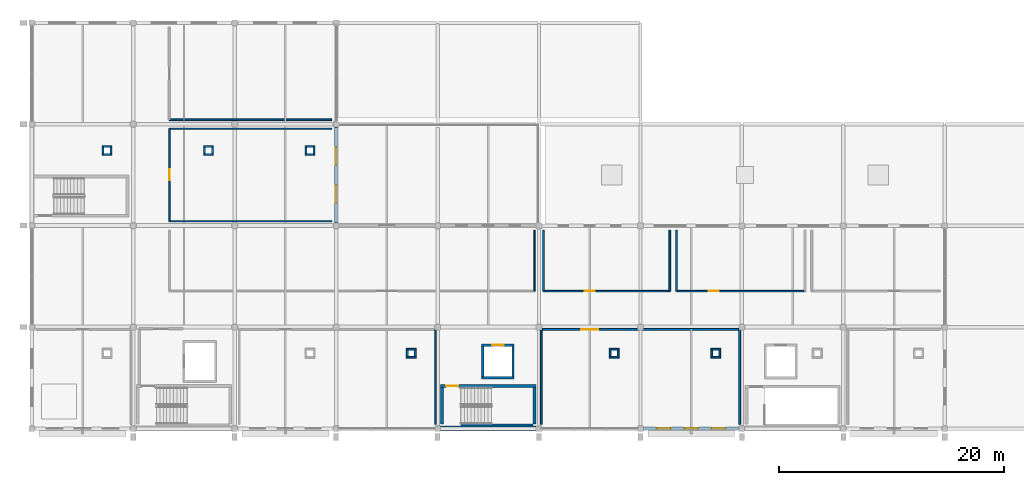
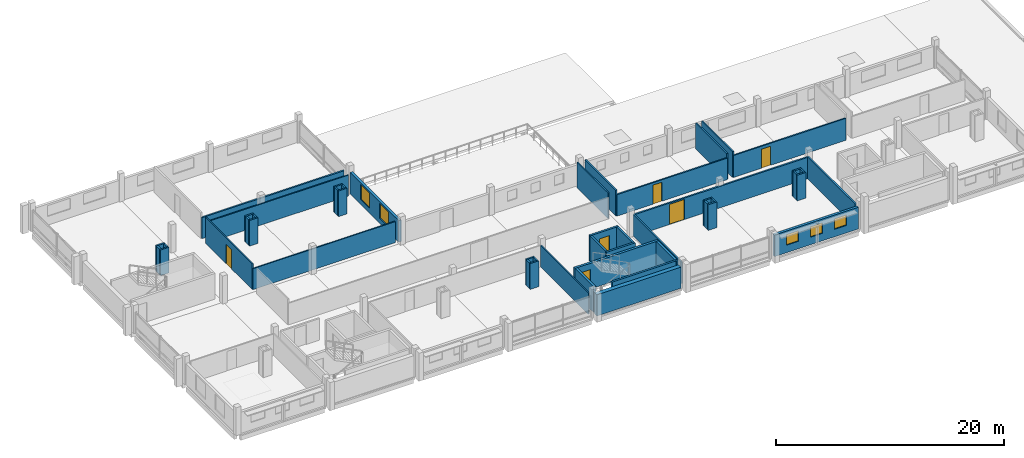
# One storey, part 19 of 25: 49 walls, 6 doors, 5 windows, 11 openings.
"""IFC4 building model written with IfcOpenShell, lengths in metres."""

from ifc_helpers import new_model, si_unit, direction, frame, frame_2d, origin, place, context, subcontext, project, spatial, rectangle, extrude, material, layer, layer_set, type_object, element, fill, save


model = new_model("IFC4")

# Units and contexts
model_context = context("Model", 3, precision=1e-05, world=origin(), true_north=direction((0.0, 1.0)))
body_context = subcontext(model_context, "Body", "Model", "MODEL_VIEW")
ifc_project = project(units=[si_unit("LENGTHUNIT", "METRE"), si_unit("AREAUNIT", "SQUARE_METRE"), si_unit("VOLUMEUNIT", "CUBIC_METRE"), si_unit("PLANEANGLEUNIT", "RADIAN"), si_unit("MASSUNIT", "GRAM", prefix="KILO")], contexts=[model_context])

# Site, building, storey
site_placement = place(None, origin())
site = spatial("IfcSite", under=ifc_project, at=site_placement, CompositionType="ELEMENT")
building_placement = place(site_placement, origin())
building = spatial("IfcBuilding", under=site, at=building_placement, Name="Tharagai Park Tramway Depot", CompositionType="ELEMENT")
storey_placement = place(building_placement, frame((0.0, 0.0, 12.0)))
storey = spatial("IfcBuildingStorey", under=building, at=storey_placement, Name="L03", CompositionType="ELEMENT", Elevation=12.0)

# Wall, openings, windows
ifc_material_1 = material(Name="Pressed clay brick", Category="masonry")
ifc_layer_1 = layer(ifc_material_1, 0.260009765625)
ifc_layer_set_1 = layer_set([ifc_layer_1], Name="Pressed clay brick")
wall_type_1 = type_object("IfcWallType", Name="EW-05", PredefinedType="SOLIDWALL", material=ifc_layer_set_1)
wall_1_placement = place(storey_placement, frame((54.248046875, 0.0, 0.0), z_axis=(0.0, 0.0, 1.0), x_axis=(1.0, 0.0, 0.0)))
wall_1 = element("IfcWall", 1, at=wall_1_placement, inside=storey, type_object=wall_type_1, Name="L03 V4 Exterior Masonry Wall EW-05", PredefinedType="SOLIDWALL", context=body_context, shape_type="SweptSolid", body=[
    extrude(rectangle(XDim=8.50390625, YDim=0.260009765625, at=frame_2d((4.251953125, 0.0))), origin(), (0.0, 0.0, 1.0), 2.322021484375),
])
opening_1_placement = place(wall_1_placement, frame((1.2109375, 0.0, 0.800048828125)))
opening_1 = element("IfcOpeningElement", 2, at=opening_1_placement, cuts=wall_1, Name="Opening WN-32", PredefinedType="OPENING", context=body_context, shape_type="SweptSolid", body=[
    extrude(rectangle(XDim=1.219970703125, YDim=1.1201171875, at=frame_2d((0.60986328125, 0.56005859375))), frame((0.0, 0.139892578125, 0.0), z_axis=(0.0, -1.0, 0.0), x_axis=(1.0, 0.0, 0.0)), (0.0, 0.0, 1.0), 0.280029296875),
])
opening_2_placement = place(wall_1_placement, frame((3.64208984375, 0.0, 0.800048828125)))
opening_2 = element("IfcOpeningElement", 3, at=opening_2_placement, cuts=wall_1, Name="Opening WN-32", PredefinedType="OPENING", context=body_context, shape_type="SweptSolid", body=[
    extrude(rectangle(XDim=1.219970703125, YDim=1.1201171875, at=frame_2d((0.60986328125, 0.56005859375))), frame((0.0, 0.139892578125, 0.0), z_axis=(0.0, -1.0, 0.0), x_axis=(1.0, 0.0, 0.0)), (0.0, 0.0, 1.0), 0.280029296875),
])
opening_3_placement = place(wall_1_placement, frame((6.072998046875, 0.0, 0.800048828125)))
opening_3 = element("IfcOpeningElement", 4, at=opening_3_placement, cuts=wall_1, Name="Opening WN-32", PredefinedType="OPENING", context=body_context, shape_type="SweptSolid", body=[
    extrude(rectangle(XDim=1.219970703125, YDim=1.1201171875, at=frame_2d((0.60986328125, 0.56005859375))), frame((0.0, 0.139892578125, 0.0), z_axis=(0.0, -1.0, 0.0), x_axis=(1.0, 0.0, 0.0)), (0.0, 0.0, 1.0), 0.280029296875),
])
ifc_material_2 = material(Name="Laminated solar-control glass", Category="glass")
window_type_1 = type_object("IfcWindowType", Name="WN-32", PartitioningType="SINGLE_PANEL", PredefinedType="WINDOW", material=ifc_material_2)
window_1_placement = place(opening_1_placement, origin())
window_1 = element("IfcWindow", 5, at=window_1_placement, inside=storey, type_object=window_type_1, Name="L03 V4 Gothic Lancet Window WN-32", OverallHeight=1.1201171875, OverallWidth=1.219970703125, PartitioningType="SINGLE_PANEL", PredefinedType="WINDOW", context=body_context, shape_type="SweptSolid", body=[
    extrude(rectangle(XDim=1.219970703125, YDim=1.1201171875, at=frame_2d((0.60986328125, 0.56005859375))), frame((0.0, 0.030029296875, 0.0), z_axis=(0.0, -1.0, 0.0), x_axis=(1.0, 0.0, 0.0)), (0.0, 0.0, 1.0), 0.06005859375),
])
fill(opening_1, window_1)
window_2_placement = place(opening_2_placement, origin())
window_2 = element("IfcWindow", 6, at=window_2_placement, inside=storey, type_object=window_type_1, Name="L03 V4 Gothic Lancet Window WN-32", OverallHeight=1.1201171875, OverallWidth=1.219970703125, PartitioningType="SINGLE_PANEL", PredefinedType="WINDOW", context=body_context, shape_type="SweptSolid", body=[
    extrude(rectangle(XDim=1.219970703125, YDim=1.1201171875, at=frame_2d((0.60986328125, 0.56005859375))), frame((0.0, 0.030029296875, 0.0), z_axis=(0.0, -1.0, 0.0), x_axis=(1.0, 0.0, 0.0)), (0.0, 0.0, 1.0), 0.06005859375),
])
fill(opening_2, window_2)
window_3_placement = place(opening_3_placement, origin())
window_3 = element("IfcWindow", 7, at=window_3_placement, inside=storey, type_object=window_type_1, Name="L03 V4 Gothic Lancet Window WN-32", OverallHeight=1.1201171875, OverallWidth=1.219970703125, PartitioningType="SINGLE_PANEL", PredefinedType="WINDOW", context=body_context, shape_type="SweptSolid", body=[
    extrude(rectangle(XDim=1.219970703125, YDim=1.1201171875, at=frame_2d((0.60986328125, 0.56005859375))), frame((0.0, 0.030029296875, 0.0), z_axis=(0.0, -1.0, 0.0), x_axis=(1.0, 0.0, 0.0)), (0.0, 0.0, 1.0), 0.06005859375),
])
fill(opening_3, window_3)

wall_2_placement = place(storey_placement, frame((27.0, 18.248046875, 0.0), z_axis=(0.0, 0.0, 1.0), x_axis=(0.0, 1.0, 0.0)))
wall_2 = element("IfcWall", 8, at=wall_2_placement, inside=storey, type_object=wall_type_1, Name="L03 V4 Exterior Masonry Wall EW-05", PredefinedType="SOLIDWALL", context=body_context, shape_type="SweptSolid", body=[
    extrude(rectangle(XDim=8.50390625, YDim=0.260009765625, at=frame_2d((4.251953125, 0.0))), origin(), (0.0, 0.0, 1.0), 2.302001953125),
])
opening_4_placement = place(wall_2_placement, frame((1.781005859375, 0.0, 0.52001953125)))
opening_4 = element("IfcOpeningElement", 9, at=opening_4_placement, cuts=wall_2, Name="Opening WN-33", PredefinedType="OPENING", context=body_context, shape_type="SweptSolid", body=[
    extrude(rectangle(XDim=1.580078125, YDim=1.60009765625, at=frame_2d((0.7900390625, 0.800048828125))), frame((0.0, 0.139892578125, 0.0), z_axis=(0.0, -1.0, 0.0), x_axis=(1.0, 0.0, 0.0)), (0.0, 0.0, 1.0), 0.280029296875),
])
opening_5_placement = place(wall_2_placement, frame((5.14306640625, 0.0, 0.52001953125)))
opening_5 = element("IfcOpeningElement", 10, at=opening_5_placement, cuts=wall_2, Name="Opening WN-33", PredefinedType="OPENING", context=body_context, shape_type="SweptSolid", body=[
    extrude(rectangle(XDim=1.580078125, YDim=1.60009765625, at=frame_2d((0.7900390625, 0.800048828125))), frame((0.0, 0.139892578125, 0.0), z_axis=(0.0, -1.0, 0.0), x_axis=(1.0, 0.0, 0.0)), (0.0, 0.0, 1.0), 0.280029296875),
])
window_type_2 = type_object("IfcWindowType", Name="WN-33", PartitioningType="SINGLE_PANEL", PredefinedType="WINDOW", material=ifc_material_2)
window_4_placement = place(opening_4_placement, origin())
window_4 = element("IfcWindow", 11, at=window_4_placement, inside=storey, type_object=window_type_2, Name="L03 V4 Side Lancet Window WN-33", OverallHeight=1.60009765625, OverallWidth=1.580078125, PartitioningType="SINGLE_PANEL", PredefinedType="WINDOW", context=body_context, shape_type="SweptSolid", body=[
    extrude(rectangle(XDim=1.580078125, YDim=1.60009765625, at=frame_2d((0.7900390625, 0.800048828125))), frame((0.0, 0.030029296875, 0.0), z_axis=(0.0, -1.0, 0.0), x_axis=(1.0, 0.0, 0.0)), (0.0, 0.0, 1.0), 0.06005859375),
])
fill(opening_4, window_4)
window_5_placement = place(opening_5_placement, origin())
window_5 = element("IfcWindow", 12, at=window_5_placement, inside=storey, type_object=window_type_2, Name="L03 V4 Side Lancet Window WN-33", OverallHeight=1.60009765625, OverallWidth=1.580078125, PartitioningType="SINGLE_PANEL", PredefinedType="WINDOW", context=body_context, shape_type="SweptSolid", body=[
    extrude(rectangle(XDim=1.580078125, YDim=1.60009765625, at=frame_2d((0.7900390625, 0.800048828125))), frame((0.0, 0.030029296875, 0.0), z_axis=(0.0, -1.0, 0.0), x_axis=(1.0, 0.0, 0.0)), (0.0, 0.0, 1.0), 0.06005859375),
])
fill(opening_5, window_5)

# Wall
ifc_material_3 = material(Name="Charnockite stone", Category="masonry")
ifc_layer_2 = layer(ifc_material_3, 0.419921875)
ifc_layer_set_2 = layer_set([ifc_layer_2], Name="Charnockite stone")
wall_type_2 = type_object("IfcWallType", Name="EW-07", PredefinedType="SOLIDWALL", material=ifc_layer_set_2)
wall_3_placement = place(storey_placement, frame((36.248046875, 0.0, 0.0), z_axis=(0.0, 0.0, 1.0), x_axis=(1.0, 0.0, 0.0)))
element("IfcWall", 13, at=wall_3_placement, inside=storey, type_object=wall_type_2, Name="L03 V4 Exterior Masonry Wall EW-07", PredefinedType="SOLIDWALL", context=body_context, shape_type="SweptSolid", body=[
    extrude(rectangle(XDim=8.50390625, YDim=0.419921875, at=frame_2d((4.251953125, 0.0))), origin(), (0.0, 0.0, 1.0), 2.261962890625),
])

# Wall, opening, door
ifc_layer_3 = layer(ifc_material_1, 0.139892578125)
ifc_layer_set_3 = layer_set([ifc_layer_3], Name="Pressed clay brick")
wall_type_3 = type_object("IfcWallType", Name="IW-01", PredefinedType="PARTITIONING", material=ifc_layer_set_3)
wall_4_placement = place(storey_placement, frame((45.39990234375, 12.199951171875, 0.0), z_axis=(0.0, 0.0, 1.0), x_axis=(1.0, 0.0, 0.0)))
wall_4 = element("IfcWall", 14, at=wall_4_placement, inside=storey, type_object=wall_type_3, Name="Third Floor Male WC Partition South", PredefinedType="PARTITIONING", context=body_context, shape_type="SweptSolid", body=[
    extrude(rectangle(XDim=11.2001953125, YDim=0.139892578125, at=frame_2d((5.60009765625, 0.0))), origin(), (0.0, 0.0, 1.0), 2.294921875),
])
opening_6_placement = place(wall_4_placement, frame((3.64501953125, 0.0, 0.0)))
opening_6 = element("IfcOpeningElement", 15, at=opening_6_placement, cuts=wall_4, Name="Opening ID-08", PredefinedType="OPENING", context=body_context, shape_type="SweptSolid", body=[
    extrude(rectangle(XDim=0.909912109375, YDim=2.0400390625, at=frame_2d((0.455078125, 1.02001953125))), frame((0.0, 0.079833984375, 0.0), z_axis=(0.0, -1.0, 0.0), x_axis=(1.0, 0.0, 0.0)), (0.0, 0.0, 1.0), 0.159912109375),
])
ifc_material_4 = material(Name="Pressed timber", Category="wood")
door_type_1 = type_object("IfcDoorType", Name="ID-08", OperationType="NOTDEFINED", PredefinedType="DOOR", material=ifc_material_4)
door_1_placement = place(opening_6_placement, frame((0.909912109375, 0.0, 0.0), z_axis=(0.0, 0.0, 1.0), x_axis=(-1.0, 0.0, 0.0)))
door_1 = element("IfcDoor", 16, at=door_1_placement, inside=storey, type_object=door_type_1, Name="Third Floor Male WC Door", OperationType="SINGLE_SWING_RIGHT", OverallHeight=2.0400390625, OverallWidth=0.909912109375, PredefinedType="DOOR", context=body_context, shape_type="SweptSolid", body=[
    extrude(rectangle(XDim=0.909912109375, YDim=2.0400390625, at=frame_2d((0.455078125, 1.02001953125))), frame((0.0, 0.02490234375, 0.0), z_axis=(0.0, -1.0, 0.0), x_axis=(1.0, 0.0, 0.0)), (0.0, 0.0, 1.0), 0.050048828125),
])
fill(opening_6, door_1)

# Walls
for number, where, z_axis, x_axis, name in (
    (17, (45.39990234375, 12.199951171875, 0.0), (0.0, 0.0, 1.0), (0.0, 1.0, 0.0), "Third Floor Male WC Partition West"),
    (18, (56.60009765625, 12.199951171875, 0.0), (0.0, 0.0, 1.0), (0.0, 1.0, 0.0), "Third Floor Male WC Partition East"),
):
    element("IfcWall", number, at=place(storey_placement, frame(where, z_axis=z_axis, x_axis=x_axis)), inside=storey, type_object=wall_type_3, Name=name, PredefinedType="PARTITIONING", context=body_context, shape_type="SweptSolid", body=[
        extrude(rectangle(XDim=5.400146484375, YDim=0.139892578125, at=frame_2d((2.7001953125, 0.0))), origin(), (0.0, 0.0, 1.0), 2.75),
    ])

# Wall, opening, door
wall_5_placement = place(storey_placement, frame((57.199951171875, 12.199951171875, 0.0), z_axis=(0.0, 0.0, 1.0), x_axis=(1.0, 0.0, 0.0)))
wall_5 = element("IfcWall", 19, at=wall_5_placement, inside=storey, type_object=wall_type_3, Name="Third Floor Female WC Partition South", PredefinedType="PARTITIONING", context=body_context, shape_type="SweptSolid", body=[
    extrude(rectangle(XDim=11.400146484375, YDim=0.139892578125, at=frame_2d((5.7001953125, 0.0))), origin(), (0.0, 0.0, 1.0), 2.35498046875),
])
opening_7_placement = place(wall_5_placement, frame((2.844970703125, 0.0, 0.0)))
opening_7 = element("IfcOpeningElement", 20, at=opening_7_placement, cuts=wall_5, Name="Opening ID-08", PredefinedType="OPENING", context=body_context, shape_type="SweptSolid", body=[
    extrude(rectangle(XDim=0.909912109375, YDim=2.0400390625, at=frame_2d((0.455078125, 1.02001953125))), frame((0.0, 0.079833984375, 0.0), z_axis=(0.0, -1.0, 0.0), x_axis=(1.0, 0.0, 0.0)), (0.0, 0.0, 1.0), 0.159912109375),
])
door_2_placement = place(opening_7_placement, frame((0.909912109375, 0.0, 0.0), z_axis=(0.0, 0.0, 1.0), x_axis=(-1.0, 0.0, 0.0)))
door_2 = element("IfcDoor", 21, at=door_2_placement, inside=storey, type_object=door_type_1, Name="Third Floor Female WC Door", OperationType="SINGLE_SWING_LEFT", OverallHeight=2.0400390625, OverallWidth=0.909912109375, PredefinedType="DOOR", context=body_context, shape_type="SweptSolid", body=[
    extrude(rectangle(XDim=0.909912109375, YDim=2.0400390625, at=frame_2d((0.455078125, 1.02001953125))), frame((0.0, 0.02490234375, 0.0), z_axis=(0.0, -1.0, 0.0), x_axis=(1.0, 0.0, 0.0)), (0.0, 0.0, 1.0), 0.050048828125),
])
fill(opening_7, door_2)

# Walls
wall_6_placement = place(storey_placement, frame((57.199951171875, 12.199951171875, 0.0), z_axis=(0.0, 0.0, 1.0), x_axis=(0.0, 1.0, 0.0)))
element("IfcWall", 22, at=wall_6_placement, inside=storey, type_object=wall_type_3, Name="Third Floor Female WC Partition West", PredefinedType="PARTITIONING", context=body_context, shape_type="SweptSolid", body=[
    extrude(rectangle(XDim=5.400146484375, YDim=0.139892578125, at=frame_2d((2.7001953125, 0.0))), origin(), (0.0, 0.0, 1.0), 2.75),
])
ifc_layer_4 = layer(ifc_material_1, 0.159912109375)
ifc_layer_set_4 = layer_set([ifc_layer_4], Name="Pressed clay brick")
wall_type_4 = type_object("IfcWallType", Name="IW-02", PredefinedType="PARTITIONING", material=ifc_layer_set_4)
for number, where, z_axis, x_axis, name in (
    (23, (33.239990234375, 6.320068359375, 0.0), (0.0, 0.0, 1.0), (1.0, 0.0, 0.0), "L03 Pipe Riser Enclosure Wall 54 S"),
    (24, (33.239990234375, 7.030029296875, 0.0), (0.0, 0.0, 1.0), (1.0, 0.0, 0.0), "L03 Pipe Riser Enclosure Wall 54 N"),
):
    element("IfcWall", number, at=place(storey_placement, frame(where, z_axis=z_axis, x_axis=x_axis)), inside=storey, type_object=wall_type_4, Name=name, PredefinedType="PARTITIONING", context=body_context, shape_type="SweptSolid", body=[
        extrude(rectangle(XDim=0.8701171875, YDim=0.159912109375, at=frame_2d((0.43505859375, 0.0))), origin(), (0.0, 0.0, 1.0), 2.75),
    ])
for number, where, z_axis, x_axis, name in (
    (25, (33.320068359375, 6.39990234375, 0.0), (0.0, 0.0, 1.0), (0.0, 1.0, 0.0), "L03 Pipe Riser Enclosure Wall 54 W"),
    (26, (34.030029296875, 6.39990234375, 0.0), (0.0, 0.0, 1.0), (0.0, 1.0, 0.0), "L03 Pipe Riser Enclosure Wall 54 E"),
):
    element("IfcWall", number, at=place(storey_placement, frame(where, z_axis=z_axis, x_axis=x_axis)), inside=storey, type_object=wall_type_4, Name=name, PredefinedType="PARTITIONING", context=body_context, shape_type="SweptSolid", body=[
        extrude(rectangle(XDim=0.550048828125, YDim=0.159912109375, at=frame_2d((0.27490234375, 0.0))), origin(), (0.0, 0.0, 1.0), 2.75),
    ])
for number, where, z_axis, x_axis, name in (
    (27, (51.239990234375, 6.320068359375, 0.0), (0.0, 0.0, 1.0), (1.0, 0.0, 0.0), "L03 Pipe Riser Enclosure Wall 55 S"),
    (28, (51.239990234375, 7.030029296875, 0.0), (0.0, 0.0, 1.0), (1.0, 0.0, 0.0), "L03 Pipe Riser Enclosure Wall 55 N"),
):
    element("IfcWall", number, at=place(storey_placement, frame(where, z_axis=z_axis, x_axis=x_axis)), inside=storey, type_object=wall_type_4, Name=name, PredefinedType="PARTITIONING", context=body_context, shape_type="SweptSolid", body=[
        extrude(rectangle(XDim=0.8701171875, YDim=0.159912109375, at=frame_2d((0.43505859375, 0.0))), origin(), (0.0, 0.0, 1.0), 2.75),
    ])
for number, where, z_axis, x_axis, name in (
    (29, (51.320068359375, 6.39990234375, 0.0), (0.0, 0.0, 1.0), (0.0, 1.0, 0.0), "L03 Pipe Riser Enclosure Wall 55 W"),
    (30, (52.030029296875, 6.39990234375, 0.0), (0.0, 0.0, 1.0), (0.0, 1.0, 0.0), "L03 Pipe Riser Enclosure Wall 55 E"),
):
    element("IfcWall", number, at=place(storey_placement, frame(where, z_axis=z_axis, x_axis=x_axis)), inside=storey, type_object=wall_type_4, Name=name, PredefinedType="PARTITIONING", context=body_context, shape_type="SweptSolid", body=[
        extrude(rectangle(XDim=0.550048828125, YDim=0.159912109375, at=frame_2d((0.27490234375, 0.0))), origin(), (0.0, 0.0, 1.0), 2.75),
    ])
for number, where, z_axis, x_axis, name in (
    (31, (60.239990234375, 6.320068359375, 0.0), (0.0, 0.0, 1.0), (1.0, 0.0, 0.0), "L03 Pipe Riser Enclosure Wall 56 S"),
    (32, (60.239990234375, 7.030029296875, 0.0), (0.0, 0.0, 1.0), (1.0, 0.0, 0.0), "L03 Pipe Riser Enclosure Wall 56 N"),
):
    element("IfcWall", number, at=place(storey_placement, frame(where, z_axis=z_axis, x_axis=x_axis)), inside=storey, type_object=wall_type_4, Name=name, PredefinedType="PARTITIONING", context=body_context, shape_type="SweptSolid", body=[
        extrude(rectangle(XDim=0.8701171875, YDim=0.159912109375, at=frame_2d((0.43505859375, 0.0))), origin(), (0.0, 0.0, 1.0), 2.75),
    ])
for number, where, z_axis, x_axis, name in (
    (33, (60.320068359375, 6.39990234375, 0.0), (0.0, 0.0, 1.0), (0.0, 1.0, 0.0), "L03 Pipe Riser Enclosure Wall 56 W"),
    (34, (61.030029296875, 6.39990234375, 0.0), (0.0, 0.0, 1.0), (0.0, 1.0, 0.0), "L03 Pipe Riser Enclosure Wall 56 E"),
):
    element("IfcWall", number, at=place(storey_placement, frame(where, z_axis=z_axis, x_axis=x_axis)), inside=storey, type_object=wall_type_4, Name=name, PredefinedType="PARTITIONING", context=body_context, shape_type="SweptSolid", body=[
        extrude(rectangle(XDim=0.550048828125, YDim=0.159912109375, at=frame_2d((0.27490234375, 0.0))), origin(), (0.0, 0.0, 1.0), 2.75),
    ])
for number, where, z_axis, x_axis, name in (
    (35, (6.239990234375, 24.320068359375, 0.0), (0.0, 0.0, 1.0), (1.0, 0.0, 0.0), "L03 Pipe Riser Enclosure Wall 59 S"),
    (36, (6.239990234375, 25.030029296875, 0.0), (0.0, 0.0, 1.0), (1.0, 0.0, 0.0), "L03 Pipe Riser Enclosure Wall 59 N"),
):
    element("IfcWall", number, at=place(storey_placement, frame(where, z_axis=z_axis, x_axis=x_axis)), inside=storey, type_object=wall_type_4, Name=name, PredefinedType="PARTITIONING", context=body_context, shape_type="SweptSolid", body=[
        extrude(rectangle(XDim=0.8701171875, YDim=0.159912109375, at=frame_2d((0.43505859375, 0.0))), origin(), (0.0, 0.0, 1.0), 2.75),
    ])
for number, where, z_axis, x_axis, name in (
    (37, (6.320068359375, 24.39990234375, 0.0), (0.0, 0.0, 1.0), (0.0, 1.0, 0.0), "L03 Pipe Riser Enclosure Wall 59 W"),
    (38, (7.030029296875, 24.39990234375, 0.0), (0.0, 0.0, 1.0), (0.0, 1.0, 0.0), "L03 Pipe Riser Enclosure Wall 59 E"),
):
    element("IfcWall", number, at=place(storey_placement, frame(where, z_axis=z_axis, x_axis=x_axis)), inside=storey, type_object=wall_type_4, Name=name, PredefinedType="PARTITIONING", context=body_context, shape_type="SweptSolid", body=[
        extrude(rectangle(XDim=0.550048828125, YDim=0.159912109375, at=frame_2d((0.27490234375, 0.0))), origin(), (0.0, 0.0, 1.0), 2.75),
    ])
for number, where, z_axis, x_axis, name in (
    (39, (15.239990234375, 24.320068359375, 0.0), (0.0, 0.0, 1.0), (1.0, 0.0, 0.0), "L03 Pipe Riser Enclosure Wall 60 S"),
    (40, (15.239990234375, 25.030029296875, 0.0), (0.0, 0.0, 1.0), (1.0, 0.0, 0.0), "L03 Pipe Riser Enclosure Wall 60 N"),
):
    element("IfcWall", number, at=place(storey_placement, frame(where, z_axis=z_axis, x_axis=x_axis)), inside=storey, type_object=wall_type_4, Name=name, PredefinedType="PARTITIONING", context=body_context, shape_type="SweptSolid", body=[
        extrude(rectangle(XDim=0.8701171875, YDim=0.159912109375, at=frame_2d((0.43505859375, 0.0))), origin(), (0.0, 0.0, 1.0), 2.75),
    ])
for number, where, z_axis, x_axis, name in (
    (41, (15.320068359375, 24.39990234375, 0.0), (0.0, 0.0, 1.0), (0.0, 1.0, 0.0), "L03 Pipe Riser Enclosure Wall 60 W"),
    (42, (16.030029296875, 24.39990234375, 0.0), (0.0, 0.0, 1.0), (0.0, 1.0, 0.0), "L03 Pipe Riser Enclosure Wall 60 E"),
):
    element("IfcWall", number, at=place(storey_placement, frame(where, z_axis=z_axis, x_axis=x_axis)), inside=storey, type_object=wall_type_4, Name=name, PredefinedType="PARTITIONING", context=body_context, shape_type="SweptSolid", body=[
        extrude(rectangle(XDim=0.550048828125, YDim=0.159912109375, at=frame_2d((0.27490234375, 0.0))), origin(), (0.0, 0.0, 1.0), 2.75),
    ])
for number, where, z_axis, x_axis, name in (
    (43, (24.239990234375, 24.320068359375, 0.0), (0.0, 0.0, 1.0), (1.0, 0.0, 0.0), "L03 Pipe Riser Enclosure Wall 61 S"),
    (44, (24.239990234375, 25.030029296875, 0.0), (0.0, 0.0, 1.0), (1.0, 0.0, 0.0), "L03 Pipe Riser Enclosure Wall 61 N"),
):
    element("IfcWall", number, at=place(storey_placement, frame(where, z_axis=z_axis, x_axis=x_axis)), inside=storey, type_object=wall_type_4, Name=name, PredefinedType="PARTITIONING", context=body_context, shape_type="SweptSolid", body=[
        extrude(rectangle(XDim=0.8701171875, YDim=0.159912109375, at=frame_2d((0.43505859375, 0.0))), origin(), (0.0, 0.0, 1.0), 2.75),
    ])
for number, where, z_axis, x_axis, name in (
    (45, (24.320068359375, 24.39990234375, 0.0), (0.0, 0.0, 1.0), (0.0, 1.0, 0.0), "L03 Pipe Riser Enclosure Wall 61 W"),
    (46, (25.030029296875, 24.39990234375, 0.0), (0.0, 0.0, 1.0), (0.0, 1.0, 0.0), "L03 Pipe Riser Enclosure Wall 61 E"),
):
    element("IfcWall", number, at=place(storey_placement, frame(where, z_axis=z_axis, x_axis=x_axis)), inside=storey, type_object=wall_type_4, Name=name, PredefinedType="PARTITIONING", context=body_context, shape_type="SweptSolid", body=[
        extrude(rectangle(XDim=0.550048828125, YDim=0.159912109375, at=frame_2d((0.27490234375, 0.0))), origin(), (0.0, 0.0, 1.0), 2.75),
    ])

# Wall, opening, door
wall_7_placement = place(storey_placement, frame((45.199951171875, 8.800048828125, 0.0), z_axis=(0.0, 0.0, 1.0), x_axis=(1.0, 0.0, 0.0)))
wall_7 = element("IfcWall", 47, at=wall_7_placement, inside=storey, type_object=wall_type_4, Name="Canteen Kitchen and Dishwash Partition North", PredefinedType="PARTITIONING", context=body_context, shape_type="SweptSolid", body=[
    extrude(rectangle(XDim=17.60009765625, YDim=0.159912109375, at=frame_2d((8.800048828125, 0.0))), origin(), (0.0, 0.0, 1.0), 2.294921875),
])
opening_8_placement = place(wall_7_placement, frame((3.5400390625, 0.0, 0.0)))
opening_8 = element("IfcOpeningElement", 48, at=opening_8_placement, cuts=wall_7, Name="Opening ID-11", PredefinedType="OPENING", context=body_context, shape_type="SweptSolid", body=[
    extrude(rectangle(XDim=1.52001953125, YDim=2.159912109375, at=frame_2d((0.760009765625, 1.080078125))), frame((0.0, 0.08984375, 0.0), z_axis=(0.0, -1.0, 0.0), x_axis=(1.0, 0.0, 0.0)), (0.0, 0.0, 1.0), 0.179931640625),
])
ifc_material_5 = material(Name="Galvanised steel", Category="steel")
door_type_2 = type_object("IfcDoorType", Name="ID-11", OperationType="DOUBLE_SWING_LEFT", PredefinedType="DOOR", material=ifc_material_5)
door_3_placement = place(opening_8_placement, origin())
door_3 = element("IfcDoor", 49, at=door_3_placement, inside=storey, type_object=door_type_2, Name="Canteen Kitchen and Dishwash Door", OperationType="DOUBLE_SWING_LEFT", OverallHeight=2.159912109375, OverallWidth=1.52001953125, PredefinedType="DOOR", context=body_context, shape_type="SweptSolid", body=[
    extrude(rectangle(XDim=1.52001953125, YDim=2.159912109375, at=frame_2d((0.760009765625, 1.080078125))), frame((0.0, 0.02490234375, 0.0), z_axis=(0.0, -1.0, 0.0), x_axis=(1.0, 0.0, 0.0)), (0.0, 0.0, 1.0), 0.050048828125),
])
fill(opening_8, door_3)

# Walls
wall_8_placement = place(storey_placement, frame((45.199951171875, 0.39990234375, 0.0), z_axis=(0.0, 0.0, 1.0), x_axis=(0.0, 1.0, 0.0)))
element("IfcWall", 50, at=wall_8_placement, inside=storey, type_object=wall_type_4, Name="Canteen Kitchen and Dishwash Partition West", PredefinedType="PARTITIONING", context=body_context, shape_type="SweptSolid", body=[
    extrude(rectangle(XDim=8.400146484375, YDim=0.159912109375, at=frame_2d((4.2001953125, 0.0))), origin(), (0.0, 0.0, 1.0), 2.294921875),
])
wall_9_placement = place(storey_placement, frame((62.800048828125, 0.39990234375, 0.0), z_axis=(0.0, 0.0, 1.0), x_axis=(0.0, 1.0, 0.0)))
element("IfcWall", 51, at=wall_9_placement, inside=storey, type_object=wall_type_4, Name="Canteen Kitchen and Dishwash Partition East", PredefinedType="PARTITIONING", context=body_context, shape_type="SweptSolid", body=[
    extrude(rectangle(XDim=8.400146484375, YDim=0.159912109375, at=frame_2d((4.2001953125, 0.0))), origin(), (0.0, 0.0, 1.0), 2.35498046875),
])
wall_10_placement = place(storey_placement, frame((12.199951171875, 27.39990234375, 0.0), z_axis=(0.0, 0.0, 1.0), x_axis=(1.0, 0.0, 0.0)))
element("IfcWall", 52, at=wall_10_placement, inside=storey, type_object=wall_type_4, Name="Kitchen Extract and Fresh-Air Plant Room Partition South", PredefinedType="PARTITIONING", context=body_context, shape_type="SweptSolid", body=[
    extrude(rectangle(XDim=14.400146484375, YDim=0.159912109375, at=frame_2d((7.2001953125, 0.0))), origin(), (0.0, 0.0, 1.0), 2.2451171875),
])
ifc_material_6 = material(Name="Gypsum board", Category="gypsum")
ifc_layer_5 = layer(ifc_material_6, 0.1201171875)
ifc_layer_set_5 = layer_set([ifc_layer_5], Name="Gypsum board")
wall_type_5 = type_object("IfcWallType", Name="IW-03", PredefinedType="PARTITIONING", material=ifc_layer_set_5)
wall_11_placement = place(storey_placement, frame((35.800048828125, 0.39990234375, 0.0), z_axis=(0.0, 0.0, 1.0), x_axis=(0.0, 1.0, 0.0)))
element("IfcWall", 53, at=wall_11_placement, inside=storey, type_object=wall_type_5, Name="Staff Canteen Dining Hall Partition East", PredefinedType="PARTITIONING", context=body_context, shape_type="SweptSolid", body=[
    extrude(rectangle(XDim=8.400146484375, YDim=0.1201171875, at=frame_2d((4.2001953125, 0.0))), origin(), (0.0, 0.0, 1.0), 2.294921875),
])
wall_12_placement = place(storey_placement, frame((44.60009765625, 12.199951171875, 0.0), z_axis=(0.0, 0.0, 1.0), x_axis=(0.0, 1.0, 0.0)))
element("IfcWall", 54, at=wall_12_placement, inside=storey, type_object=wall_type_5, Name="Monsoon Terrace Dining Room Partition East", PredefinedType="PARTITIONING", context=body_context, shape_type="SweptSolid", body=[
    extrude(rectangle(XDim=5.400146484375, YDim=0.1201171875, at=frame_2d((2.7001953125, 0.0))), origin(), (0.0, 0.0, 1.0), 2.75),
])
for number, where, z_axis, x_axis, name in (
    (55, (12.199951171875, 18.39990234375, 0.0), (0.0, 0.0, 1.0), (1.0, 0.0, 0.0), "Staff Wellness and Physiotherapy Room Partition South"),
    (56, (12.199951171875, 26.60009765625, 0.0), (0.0, 0.0, 1.0), (1.0, 0.0, 0.0), "Staff Wellness and Physiotherapy Room Partition North"),
):
    element("IfcWall", number, at=place(storey_placement, frame(where, z_axis=z_axis, x_axis=x_axis)), inside=storey, type_object=wall_type_5, Name=name, PredefinedType="PARTITIONING", context=body_context, shape_type="SweptSolid", body=[
        extrude(rectangle(XDim=14.400146484375, YDim=0.1201171875, at=frame_2d((7.2001953125, 0.0))), origin(), (0.0, 0.0, 1.0), 2.2451171875),
    ])

# Wall, opening, door
wall_13_placement = place(storey_placement, frame((12.199951171875, 18.39990234375, 0.0), z_axis=(0.0, 0.0, 1.0), x_axis=(0.0, 1.0, 0.0)))
wall_13 = element("IfcWall", 57, at=wall_13_placement, inside=storey, type_object=wall_type_5, Name="Staff Wellness and Physiotherapy Room Partition West", PredefinedType="PARTITIONING", context=body_context, shape_type="SweptSolid", body=[
    extrude(rectangle(XDim=8.2001953125, YDim=0.1201171875, at=frame_2d((4.10009765625, 0.0))), origin(), (0.0, 0.0, 1.0), 2.75),
])
opening_9_placement = place(wall_13_placement, frame((3.610107421875, 0.0, 0.0)))
opening_9 = element("IfcOpeningElement", 58, at=opening_9_placement, cuts=wall_13, Name="Opening ID-02", PredefinedType="OPENING", context=body_context, shape_type="SweptSolid", body=[
    extrude(rectangle(XDim=0.97998046875, YDim=2.080078125, at=frame_2d((0.489990234375, 1.0400390625))), frame((0.0, 0.070068359375, 0.0), z_axis=(0.0, -1.0, 0.0), x_axis=(1.0, 0.0, 0.0)), (0.0, 0.0, 1.0), 0.14013671875),
])
door_type_3 = type_object("IfcDoorType", Name="ID-02", OperationType="NOTDEFINED", PredefinedType="DOOR", material=ifc_material_4)
door_4_placement = place(opening_9_placement, origin())
door_4 = element("IfcDoor", 59, at=door_4_placement, inside=storey, type_object=door_type_3, Name="Staff Wellness and Physiotherapy Room Door", OperationType="SINGLE_SWING_LEFT", OverallHeight=2.080078125, OverallWidth=0.97998046875, PredefinedType="DOOR", context=body_context, shape_type="SweptSolid", body=[
    extrude(rectangle(XDim=0.97998046875, YDim=2.080078125, at=frame_2d((0.489990234375, 1.0400390625))), frame((0.0, 0.02490234375, 0.0), z_axis=(0.0, -1.0, 0.0), x_axis=(1.0, 0.0, 0.0)), (0.0, 0.0, 1.0), 0.050048828125),
])
fill(opening_9, door_4)

ifc_material_7 = material(Name="Concrete M40", Category="concrete")
ifc_layer_6 = layer(ifc_material_7, 0.239990234375)
ifc_layer_set_6 = layer_set([ifc_layer_6], Name="Concrete M40")
wall_type_6 = type_object("IfcWallType", Name="SW-01", PredefinedType="SHEAR", material=ifc_layer_set_6)
wall_14_placement = place(storey_placement, frame((36.280029296875, 3.77001953125, 0.0), z_axis=(0.0, 0.0, 1.0), x_axis=(1.0, 0.0, 0.0)))
wall_14 = element("IfcWall", 60, at=wall_14_placement, inside=storey, type_object=wall_type_6, Name="Core C2 L03 Shear Wall North", PredefinedType="SHEAR", context=body_context, shape_type="SweptSolid", body=[
    extrude(rectangle(XDim=8.43994140625, YDim=0.239990234375, at=frame_2d((4.219970703125, 0.0))), origin(), (0.0, 0.0, 1.0), 2.75),
])
opening_10_placement = place(wall_14_placement, frame((0.47998046875, 0.0, 0.0)))
opening_10 = element("IfcOpeningElement", 61, at=opening_10_placement, cuts=wall_14, Name="Opening ID-05", PredefinedType="OPENING", context=body_context, shape_type="SweptSolid", body=[
    extrude(rectangle(XDim=1.080078125, YDim=2.080078125, at=frame_2d((0.5400390625, 1.0400390625))), frame((0.0, 0.1298828125, 0.0), z_axis=(0.0, -1.0, 0.0), x_axis=(1.0, 0.0, 0.0)), (0.0, 0.0, 1.0), 0.260009765625),
])
door_type_4 = type_object("IfcDoorType", Name="ID-05", OperationType="NOTDEFINED", PredefinedType="DOOR", material=ifc_material_5)
door_5_placement = place(opening_10_placement, frame((1.080078125, 0.0, 0.0), z_axis=(0.0, 0.0, 1.0), x_axis=(-1.0, 0.0, 0.0)))
door_5 = element("IfcDoor", 62, at=door_5_placement, inside=storey, type_object=door_type_4, Name="Stair ST-02 L03 Fire Door", OperationType="SINGLE_SWING_LEFT", OverallHeight=2.080078125, OverallWidth=1.080078125, PredefinedType="DOOR", context=body_context, shape_type="SweptSolid", body=[
    extrude(rectangle(XDim=1.080078125, YDim=2.080078125, at=frame_2d((0.5400390625, 1.0400390625))), frame((0.0, 0.02490234375, 0.0), z_axis=(0.0, -1.0, 0.0), x_axis=(1.0, 0.0, 0.0)), (0.0, 0.0, 1.0), 0.050048828125),
])
fill(opening_10, door_5)

# Walls
for number, where, z_axis, x_axis, name in (
    (63, (36.39990234375, 0.39990234375, 0.0), (0.0, 0.0, 1.0), (0.0, 1.0, 0.0), "Core C2 L03 Shear Wall West"),
    (64, (44.60009765625, 0.39990234375, 0.0), (0.0, 0.0, 1.0), (0.0, 1.0, 0.0), "Core C2 L03 Shear Wall East"),
):
    element("IfcWall", number, at=place(storey_placement, frame(where, z_axis=z_axis, x_axis=x_axis)), inside=storey, type_object=wall_type_6, Name=name, PredefinedType="SHEAR", context=body_context, shape_type="SweptSolid", body=[
        extrude(rectangle(XDim=3.25, YDim=0.239990234375, at=frame_2d((1.625, 0.0))), origin(), (0.0, 0.0, 1.0), 2.75),
    ])
ifc_layer_7 = layer(ifc_material_7, 0.199951171875)
ifc_layer_set_7 = layer_set([ifc_layer_7], Name="Concrete M40")
wall_type_7 = type_object("IfcWallType", Name="SW-02", PredefinedType="SHEAR", material=ifc_layer_set_7)
wall_15_placement = place(storey_placement, frame((38.070068359375, 0.31494140625, 0.0), z_axis=(0.0, 0.0, 1.0), x_axis=(1.0, 0.0, 0.0)))
element("IfcWall", 65, at=wall_15_placement, inside=storey, type_object=wall_type_7, Name="Core C2 L03 Shear Bearing Liner South", PredefinedType="SHEAR", context=body_context, shape_type="SweptSolid", body=[
    extrude(rectangle(XDim=6.409912109375, YDim=0.199951171875, at=frame_2d((3.205078125, 0.0))), origin(), (0.0, 0.0, 1.0), 2.75),
])
wall_16_placement = place(storey_placement, frame((39.89990234375, 4.5, 0.0), z_axis=(0.0, 0.0, 1.0), x_axis=(1.0, 0.0, 0.0)))
element("IfcWall", 66, at=wall_16_placement, inside=storey, type_object=wall_type_7, Name="Lift LP-01 L03 Shaft Wall South", PredefinedType="SHEAR", context=body_context, shape_type="SweptSolid", body=[
    extrude(rectangle(XDim=2.900146484375, YDim=0.199951171875, at=frame_2d((1.4501953125, 0.0))), origin(), (0.0, 0.0, 1.0), 2.75),
])

# Wall, opening, door
wall_17_placement = place(storey_placement, frame((39.89990234375, 7.39990234375, 0.0), z_axis=(0.0, 0.0, 1.0), x_axis=(1.0, 0.0, 0.0)))
wall_17 = element("IfcWall", 67, at=wall_17_placement, inside=storey, type_object=wall_type_7, Name="Lift LP-01 L03 Shaft Wall North", PredefinedType="SHEAR", context=body_context, shape_type="SweptSolid", body=[
    extrude(rectangle(XDim=2.900146484375, YDim=0.199951171875, at=frame_2d((1.4501953125, 0.0))), origin(), (0.0, 0.0, 1.0), 2.75),
])
opening_11_placement = place(wall_17_placement, frame((0.949951171875, 0.0, 0.0)))
opening_11 = element("IfcOpeningElement", 68, at=opening_11_placement, cuts=wall_17, Name="Opening LD-02", PredefinedType="OPENING", context=body_context, shape_type="SweptSolid", body=[
    extrude(rectangle(XDim=1.0, YDim=2.10009765625, at=frame_2d((0.5, 1.050048828125))), frame((0.0, 0.10986328125, 0.0), z_axis=(0.0, -1.0, 0.0), x_axis=(1.0, 0.0, 0.0)), (0.0, 0.0, 1.0), 0.219970703125),
])
ifc_material_8 = material(Name="Anodised aluminium", Category="aluminium")
door_type_5 = type_object("IfcDoorType", Name="LD-02", OperationType="SLIDING_TO_LEFT", PredefinedType="DOOR", material=ifc_material_8)
door_6_placement = place(opening_11_placement, origin())
door_6 = element("IfcDoor", 69, at=door_6_placement, inside=storey, type_object=door_type_5, Name="Lift LP-01 L03 Sliding Landing Door", OperationType="SLIDING_TO_LEFT", OverallHeight=2.10009765625, OverallWidth=1.0, PredefinedType="DOOR", context=body_context, shape_type="SweptSolid", body=[
    extrude(rectangle(XDim=1.0, YDim=2.10009765625, at=frame_2d((0.5, 1.050048828125))), frame((0.0, 0.02490234375, 0.0), z_axis=(0.0, -1.0, 0.0), x_axis=(1.0, 0.0, 0.0)), (0.0, 0.0, 1.0), 0.050048828125),
])
fill(opening_11, door_6)

# Walls
for number, where, z_axis, x_axis, name in (
    (70, (40.0, 4.60009765625, 0.0), (0.0, 0.0, 1.0), (0.0, 1.0, 0.0), "Lift LP-01 L03 Shaft Wall West"),
    (71, (42.699951171875, 4.60009765625, 0.0), (0.0, 0.0, 1.0), (0.0, 1.0, 0.0), "Lift LP-01 L03 Shaft Wall East"),
):
    element("IfcWall", number, at=place(storey_placement, frame(where, z_axis=z_axis, x_axis=x_axis)), inside=storey, type_object=wall_type_7, Name=name, PredefinedType="SHEAR", context=body_context, shape_type="SweptSolid", body=[
        extrude(rectangle(XDim=2.699951171875, YDim=0.199951171875, at=frame_2d((1.35009765625, 0.0))), origin(), (0.0, 0.0, 1.0), 2.75),
    ])

save(model, "model.ifc")
